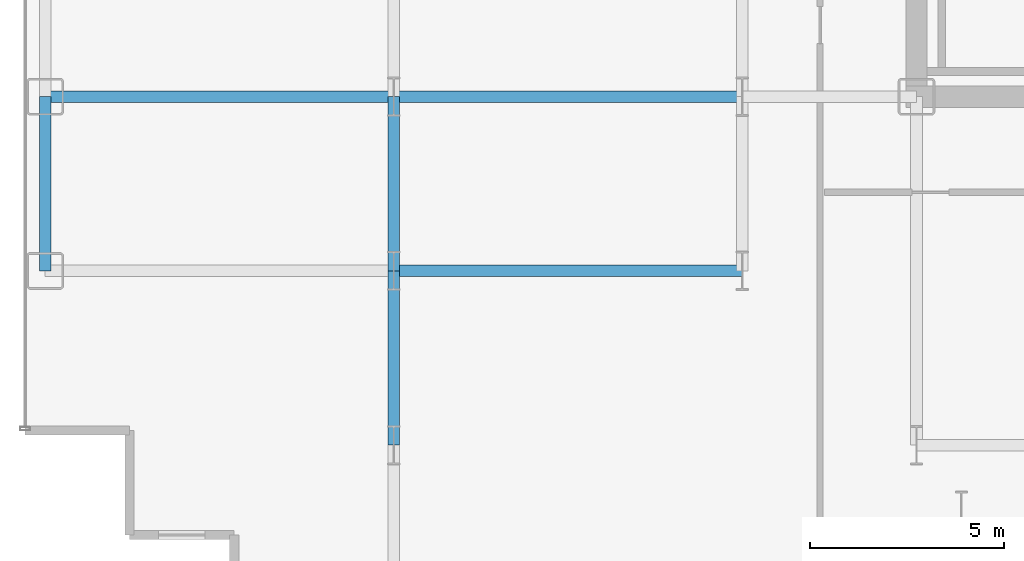
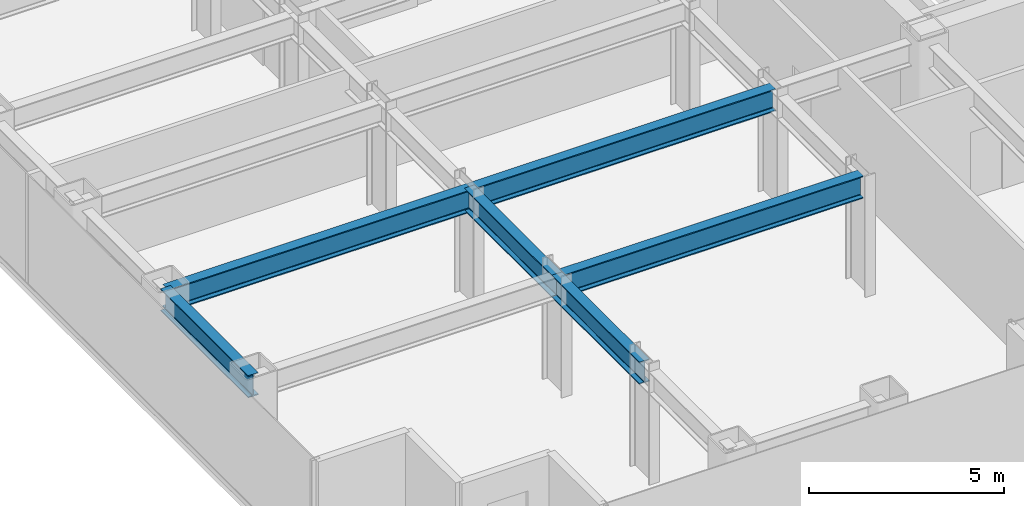
# One storey, part 3 of 26: 6 beams.
"""IFC4 building model written with IfcOpenShell, lengths in metres."""

from ifc_helpers import new_model, si_unit, direction, frame, origin, origin_2d, place, context, subcontext, project, spatial, i_section, extrude, source, transform, mapped, material, material_profile, profile_set, type_object, element, save


model = new_model("IFC4")

# Units and contexts
model_context = context("Model", 3, precision=1e-05, world=origin(), true_north=direction((0.0, 1.0)))
body_context = subcontext(model_context, "Body", "Model", "MODEL_VIEW")
ifc_project = project(units=[si_unit("LENGTHUNIT", "METRE"), si_unit("AREAUNIT", "SQUARE_METRE"), si_unit("VOLUMEUNIT", "CUBIC_METRE"), si_unit("PLANEANGLEUNIT", "RADIAN"), si_unit("MASSUNIT", "GRAM", prefix="KILO")], contexts=[model_context])

# Site, building, storey
site_placement = place(None, origin())
site = spatial("IfcSite", under=ifc_project, at=site_placement, CompositionType="ELEMENT")
building_placement = place(site_placement, origin())
building = spatial("IfcBuilding", under=site, at=building_placement, Name="Nefas-Gora Pilgrimage Tower", CompositionType="ELEMENT")
storey_placement = place(building_placement, frame((0.0, 0.0, 106.0)))
storey = spatial("IfcBuildingStorey", under=building, at=storey_placement, Name="L25", CompositionType="ELEMENT", Elevation=106.0)

# Beams
ifc_material = material(Name="Steel S355", Category="steel")
ifc_material_profile_1 = material_profile(ifc_material, i_section(OverallWidth=0.300048828125, OverallDepth=0.699951171875, WebThickness=0.01708984375, FlangeThickness=0.031982421875, FilletRadius=0.027099609375, at=origin_2d()), Name="HEB 700")
ifc_profile_set_1 = profile_set([ifc_material_profile_1], Name="Steel S355")
beam_type_1 = type_object("IfcBeamType", Name="BM-SPN-HEB600", PredefinedType="SPANDREL", material=ifc_profile_set_1)
shared_shape_1 = source(origin(), body_context, "Body", "SweptSolid", [
    extrude(i_section(OverallWidth=0.300048828125, OverallDepth=0.699951171875, WebThickness=0.01708984375, FlangeThickness=0.031982421875, FilletRadius=0.027099609375, at=origin_2d()), origin(), (0.0, 0.0, 1.0), 4.5),
])
beam_placement = place(storey_placement, frame((-33.75, -13.5, 3.199951171875), z_axis=(0.0, 1.0, 0.0), x_axis=(-1.0, 0.0, 0.0)))
element("IfcBeam", 1, at=beam_placement, inside=storey, type_object=beam_type_1, Name="L25 SP-01 beam", PredefinedType="SPANDREL", context=body_context, shape_type="MappedRepresentation", body=[
    mapped(shared_shape_1, transform((0.0, 0.0, 0.0), x_axis=(1.0, 0.0, 0.0), y_axis=(0.0, 1.0, 0.0), z_axis=(0.0, 0.0, 1.0), scale=1.0)),
])
ifc_material_profile_2 = material_profile(ifc_material, i_section(OverallWidth=0.300048828125, OverallDepth=0.699951171875, WebThickness=0.01708984375, FlangeThickness=0.031982421875, FilletRadius=0.027099609375, at=origin_2d()), Name="HEB 700")
ifc_profile_set_2 = profile_set([ifc_material_profile_2], Name="Steel S355")
beam_type_2 = type_object("IfcBeamType", Name="BM-GIR-HEB700", PredefinedType="BEAM", material=ifc_profile_set_2)
shared_shape_2 = source(origin(), body_context, "Body", "SweptSolid", [
    extrude(i_section(OverallWidth=0.300048828125, OverallDepth=0.699951171875, WebThickness=0.01708984375, FlangeThickness=0.031982421875, FilletRadius=0.027099609375, at=origin_2d()), origin(), (0.0, 0.0, 1.0), 9.0),
])
for number, where, z_axis, x_axis, name in (
    (2, (-33.75, -9.0, 3.199951171875), (1.0, 0.0, 0.0), (0.0, 1.0, 0.0), "L25 G-02 beam"),
    (3, (-24.75, -13.5, 3.199951171875), (1.0, 0.0, 0.0), (0.0, 1.0, 0.0), "L25 G-02 beam"),
    (4, (-24.75, -9.0, 3.199951171875), (1.0, 0.0, 0.0), (0.0, 1.0, 0.0), "L25 G-02 beam"),
):
    element("IfcBeam", number, at=place(storey_placement, frame(where, z_axis=z_axis, x_axis=x_axis)), inside=storey, type_object=beam_type_2, Name=name, PredefinedType="BEAM", context=body_context, shape_type="MappedRepresentation", body=[
        mapped(shared_shape_2, transform((0.0, 0.0, 0.0), x_axis=(1.0, 0.0, 0.0), y_axis=(0.0, 1.0, 0.0), z_axis=(0.0, 0.0, 1.0), scale=1.0)),
    ])
shared_shape_3 = source(origin(), body_context, "Body", "SweptSolid", [
    extrude(i_section(OverallWidth=0.300048828125, OverallDepth=0.699951171875, WebThickness=0.01708984375, FlangeThickness=0.031982421875, FilletRadius=0.027099609375, at=origin_2d()), origin(), (0.0, 0.0, 1.0), 4.5),
])
for number, where, z_axis, x_axis, name in (
    (5, (-24.75, -18.0, 3.199951171875), (0.0, 1.0, 0.0), (-1.0, 0.0, 0.0), "L25 G-02 beam"),
    (6, (-24.75, -13.5, 3.199951171875), (0.0, 1.0, 0.0), (-1.0, 0.0, 0.0), "L25 G-02 beam"),
):
    element("IfcBeam", number, at=place(storey_placement, frame(where, z_axis=z_axis, x_axis=x_axis)), inside=storey, type_object=beam_type_2, Name=name, PredefinedType="BEAM", context=body_context, shape_type="MappedRepresentation", body=[
        mapped(shared_shape_3, transform((0.0, 0.0, 0.0), x_axis=(1.0, 0.0, 0.0), y_axis=(0.0, 1.0, 0.0), z_axis=(0.0, 0.0, 1.0), scale=1.0)),
    ])

save(model, "model.ifc")
